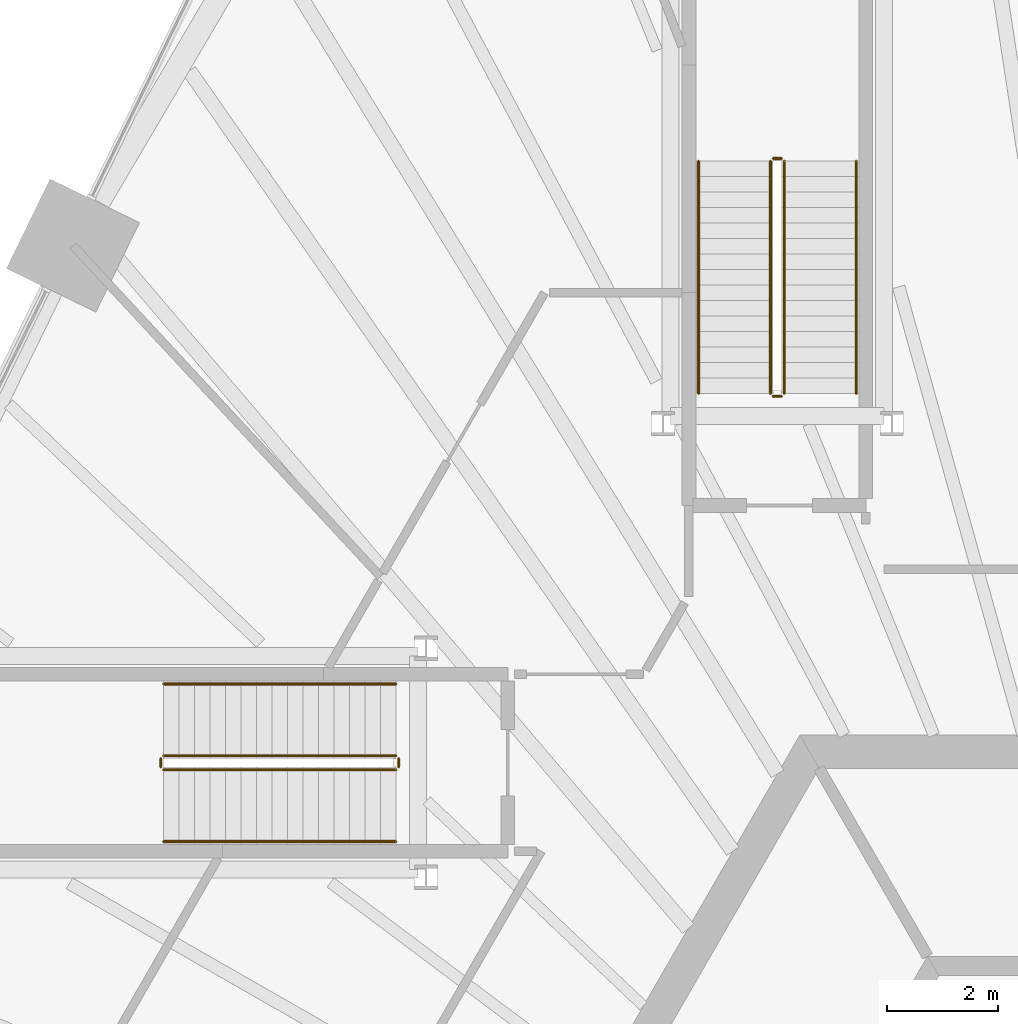
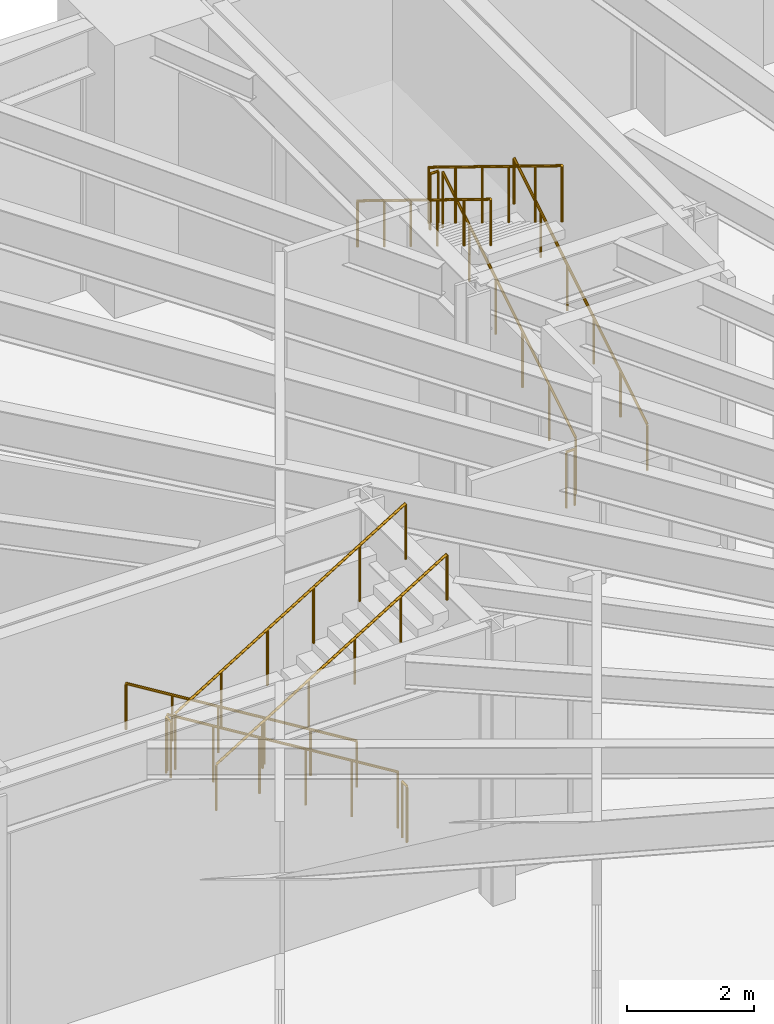
# One storey, part 29 of 30: 12 railings.
"""IFC4 building model written with IfcOpenShell, lengths in metres."""

import ifcopenshell
import ifcopenshell.guid

model = None  # the IFC model being written
_history = None  # IfcOwnerHistory: only IFC2X3 demands one
_inside = {}  # id of a spatial element -> (the spatial element, [elements in it])
_under = {}  # id of a project, library or spatial element -> (it, [spatial elements below it])
_declared = {}  # id of a project -> (the project, [libraries it declares])
_typed = {}  # id of a type object -> (the type object, [elements of that type])
_made_of = {}  # id of a material, layer set ... -> (it, [elements and type objects made of it])


def new_model(schema):
    """Start an empty IFC model of exactly this schema.

    Asked for "IFC4X3", IfcOpenShell would pick the latest addendum, in which some entities
    have other attributes; the version numbers below select the first issue.
    IFC2X3 requires an IfcOwnerHistory on every rooted entity: one is made here for all.
    """
    global model, _history
    if schema == "IFC4X3":
        model = ifcopenshell.file(schema_version=(4, 3, 0, 0))
    else:
        model = ifcopenshell.file(schema=schema)
    _inside.clear()
    _under.clear()
    _declared.clear()
    _typed.clear()
    _made_of.clear()
    _history = None
    if model.schema == "IFC2X3":
        org = make("IfcOrganization", Name="unknown")
        user = make(
            "IfcPersonAndOrganization",
            ThePerson=make("IfcPerson", FamilyName="unknown"),
            TheOrganization=org,
        )
        app = make(
            "IfcApplication",
            ApplicationDeveloper=org,
            Version="unknown",
            ApplicationFullName="unknown",
            ApplicationIdentifier="unknown",
        )
        _history = make(
            "IfcOwnerHistory",
            OwningUser=user,
            OwningApplication=app,
            ChangeAction="ADDED",
            CreationDate=0,
        )
    return model


def make(cls, **values):
    """One entity of the class cls with the attributes given. An attribute that is None is left unset."""
    return model.create_entity(
        cls, **{name: value for name, value in values.items() if value is not None}
    )


def rooted(cls, **values):
    """An entity with a GlobalId (a new one), such as an element, a storey or a relation."""
    return make(cls, GlobalId=ifcopenshell.guid.new(), OwnerHistory=_history, **values)


def si_unit(unit_type, name, prefix=None):
    """IfcSIUnit, for example si_unit("LENGTHUNIT", "METRE", prefix="MILLI")."""
    return make("IfcSIUnit", UnitType=unit_type, Prefix=prefix, Name=name)


def assignment(units):
    """IfcUnitAssignment: the units of a project."""
    return None if units is None else make("IfcUnitAssignment", Units=units)


def point(xyz):
    """IfcCartesianPoint."""
    return None if xyz is None else make("IfcCartesianPoint", Coordinates=xyz)


def direction(xyz):
    """IfcDirection."""
    return None if xyz is None else make("IfcDirection", DirectionRatios=xyz)


def frame(location, z_axis=None, x_axis=None):
    """IfcAxis2Placement3D, a coordinate frame: its origin and axes. An axis left out is left unset."""
    return make(
        "IfcAxis2Placement3D",
        Location=point(location),
        Axis=direction(z_axis),
        RefDirection=direction(x_axis),
    )


def frame_2d(location, x_axis=None):
    """IfcAxis2Placement2D, a coordinate frame in the plane: its origin and x axis."""
    return make(
        "IfcAxis2Placement2D", Location=point(location), RefDirection=direction(x_axis)
    )


def origin():
    """The frame at (0, 0, 0) with its axes left unset."""
    return frame((0.0, 0.0, 0.0))


def origin_2d():
    """The frame at (0, 0) in the plane with its x axis left unset."""
    return frame_2d((0.0, 0.0))


def place(relative_to, where):
    """IfcLocalPlacement: puts the frame where relative to a parent placement (None: the world)."""
    return make(
        "IfcLocalPlacement", PlacementRelTo=relative_to, RelativePlacement=where
    )


def context(
    kind, dimensions, precision=None, world=None, true_north=None, identifier=None
):
    """IfcGeometricRepresentationContext, for example the 3D "Model" context."""
    return make(
        "IfcGeometricRepresentationContext",
        ContextIdentifier=identifier,
        ContextType=kind,
        CoordinateSpaceDimension=dimensions,
        Precision=precision,
        WorldCoordinateSystem=world,
        TrueNorth=true_north,
    )


def subcontext(parent, identifier, kind, view, scale=None):
    """IfcGeometricRepresentationSubContext, for example "Body" below "Model"."""
    return make(
        "IfcGeometricRepresentationSubContext",
        ContextIdentifier=identifier,
        ContextType=kind,
        ParentContext=parent,
        TargetScale=scale,
        TargetView=view,
    )


def project(units=None, contexts=None):
    """IfcProject with its units and contexts."""
    return rooted(
        "IfcProject",
        Name="project",
        RepresentationContexts=contexts,
        UnitsInContext=assignment(units),
    )


def spatial(cls, under=None, at=None, **own):
    """A site, building, storey or space (cls), placed at a placement, below another one or the project."""
    s = rooted(cls, ObjectPlacement=at, **own)
    if under is not None:
        _under.setdefault(under.id(), (under, []))[1].append(s)
    return s


def profile(cls, at=None, kind="AREA", **sizes):
    """A parametric profile (cls). Its sizes go by their IFC names, for example OverallWidth=200.0."""
    return make(cls, ProfileType=kind, Position=at, **sizes)


def circle(**sizes):
    """IfcCircleProfileDef."""
    return profile("IfcCircleProfileDef", **sizes)


def extrude(swept, where, along, depth):
    """IfcExtrudedAreaSolid: the profile swept, set in the frame where, extruded along a direction by depth."""
    return make(
        "IfcExtrudedAreaSolid",
        SweptArea=swept,
        Position=where,
        ExtrudedDirection=direction(along),
        Depth=depth,
    )


def shape(context_of_items, identifier, shape_type, items):
    """IfcShapeRepresentation: the items that make up one representation, for example the "Body"."""
    return make(
        "IfcShapeRepresentation",
        ContextOfItems=context_of_items,
        RepresentationIdentifier=identifier,
        RepresentationType=shape_type,
        Items=items,
    )


def material(Name=None, Category=None):
    """IfcMaterial."""
    return make("IfcMaterial", Name=Name, Category=Category)


def made_of(thing, what):
    """Note that an element or type object is made of a material, layer set ...; save() writes the relation."""
    if what is not None:
        _made_of.setdefault(what.id(), (what, []))[1].append(thing)
    return thing


def type_object(cls, material=None, **own):
    """A type object (cls), such as IfcWallType, which elements share."""
    return made_of(rooted(cls, **own), material)


def element(
    cls,
    number,
    at=None,
    inside=None,
    cuts=None,
    type_object=None,
    material=None,
    context=None,
    identifier="Body",
    shape_type=None,
    held_by="IfcProductDefinitionShape",
    body=None,
    shapes=None,
    **own,
):
    """One element of the class cls, such as IfcWall. Its Tag is "e" and its number.

    at: its placement. inside: the storey or other place that contains it. cuts: it is an
    opening in that element (IfcRelVoidsElement). A single representation is given by context,
    identifier, shape_type and body (its items); several are given by shapes. held_by: the class
    of the entity that holds the representations. save() writes the other relations.
    """
    e = rooted(cls, Tag="e%d" % number, ObjectPlacement=at, **own)
    if body is not None:
        shapes = [shape(context, identifier, shape_type, body)]
    if shapes is not None:
        e.Representation = make(held_by, Representations=shapes)
    if inside is not None:
        _inside.setdefault(inside.id(), (inside, []))[1].append(e)
    if cuts is not None:
        rooted(
            "IfcRelVoidsElement", RelatingBuildingElement=cuts, RelatedOpeningElement=e
        )
    if type_object is not None:
        _typed.setdefault(type_object.id(), (type_object, []))[1].append(e)
    return made_of(e, material)


def aggregate(whole, parts):
    """IfcRelAggregates: a whole, such as a stair, and the parts it consists of."""
    return rooted("IfcRelAggregates", RelatingObject=whole, RelatedObjects=parts)


def save(model, path):
    """Write the relations noted so far, then the file.

    IfcRelAggregates (storeys below a building ...), IfcRelContainedInSpatialStructure (elements
    in a storey), IfcRelDefinesByType, IfcRelAssociatesMaterial and IfcRelDeclares: one each for
    every whole, place, type object, material and project.
    """
    for whole, parts in _under.values():
        aggregate(whole, parts)
    for where, things in _inside.values():
        rooted(
            "IfcRelContainedInSpatialStructure",
            RelatedElements=things,
            RelatingStructure=where,
        )
    for kind, things in _typed.values():
        rooted("IfcRelDefinesByType", RelatedObjects=things, RelatingType=kind)
    for what, things in _made_of.values():
        rooted("IfcRelAssociatesMaterial", RelatedObjects=things, RelatingMaterial=what)
    for by, libraries in _declared.values():
        rooted("IfcRelDeclares", RelatingContext=by, RelatedDefinitions=libraries)
    model.write(path)


model = new_model("IFC4")

# Units and contexts
model_context = context("Model", 3, precision=1e-05, world=origin(), true_north=direction((0.0, 1.0)))
body_context = subcontext(model_context, "Body", "Model", "MODEL_VIEW")
ifc_project = project(units=[si_unit("LENGTHUNIT", "METRE"), si_unit("AREAUNIT", "SQUARE_METRE"), si_unit("VOLUMEUNIT", "CUBIC_METRE"), si_unit("PLANEANGLEUNIT", "RADIAN"), si_unit("MASSUNIT", "GRAM", prefix="KILO")], contexts=[model_context])

# Site, building, storey
site_placement = place(None, origin())
site = spatial("IfcSite", under=ifc_project, at=site_placement, CompositionType="ELEMENT")
building_placement = place(site_placement, origin())
building = spatial("IfcBuilding", under=site, at=building_placement, Name="Tarnside Tower", CompositionType="ELEMENT")
storey_placement = place(building_placement, frame((0.0, 0.0, 20.5)))
storey = spatial("IfcBuildingStorey", under=building, at=storey_placement, Name="L03", CompositionType="ELEMENT", Elevation=20.5)

# Railings
ifc_material = material(Name="Stainless steel", Category="steel")
railing_type_1 = type_object("IfcRailingType", Name="Podium stair guard 1100", PredefinedType="GUARDRAIL", material=ifc_material)
railing_1_placement = place(storey_placement, frame((-8.36474609375, 20.179931640625, 0.171875)))
element("IfcRailing", 1, at=railing_1_placement, inside=storey, type_object=railing_type_1, Name="L03 PS1 stair guard 1", PredefinedType="GUARDRAIL", context=body_context, shape_type="SweptSolid", body=[
    extrude(circle(Radius=0.02392578125, at=origin_2d()), frame((0.0, 0.0, 1.076171875), z_axis=(0.0, 0.852242915053, 0.523146264196), x_axis=(-1.0, 0.0, 0.0)), (0.0, 0.0, 1.0), 4.92822265625),
    extrude(circle(Radius=0.02099609375, at=origin_2d()), origin(), (0.0, 0.0, 1.0), 1.052001953125),
    extrude(circle(Radius=0.02099609375, at=origin_2d()), frame((0.0, 0.840087890625, 0.515625)), (0.0, 0.0, 1.0), 1.052001953125),
    extrude(circle(Radius=0.02099609375, at=origin_2d()), frame((0.0, 1.679931640625, 1.03125)), (0.0, 0.0, 1.0), 1.052001953125),
    extrude(circle(Radius=0.02099609375, at=origin_2d()), frame((0.0, 2.52001953125, 1.546875)), (0.0, 0.0, 1.0), 1.052001953125),
    extrude(circle(Radius=0.02099609375, at=origin_2d()), frame((0.0, 3.35986328125, 2.0625)), (0.0, 0.0, 1.0), 1.052001953125),
    extrude(circle(Radius=0.02099609375, at=origin_2d()), frame((0.0, 4.199951171875, 2.578125)), (0.0, 0.0, 1.0), 1.052001953125),
])
railing_2_placement = place(storey_placement, frame((-8.414794921875, 24.429931640625, 2.75)))
element("IfcRailing", 2, at=railing_2_placement, inside=storey, type_object=railing_type_1, Name="L03 PS1 stair guard 2", PredefinedType="GUARDRAIL", context=body_context, shape_type="SweptSolid", body=[
    extrude(circle(Radius=0.02392578125, at=origin_2d()), frame((0.0, 0.0, 1.076171875), z_axis=(-1.0, 0.0, 0.0), x_axis=(0.0, -1.0, 0.0)), (0.0, 0.0, 1.0), 0.14990234375),
    extrude(circle(Radius=0.02099609375, at=origin_2d()), origin(), (0.0, 0.0, 1.0), 1.052001953125),
    extrude(circle(Radius=0.02099609375, at=origin_2d()), frame((-0.14990234375, 0.0, 0.0)), (0.0, 0.0, 1.0), 1.052001953125),
])
railing_3_placement = place(storey_placement, frame((-8.61474609375, 24.3798828125, 2.921875)))
element("IfcRailing", 3, at=railing_3_placement, inside=storey, type_object=railing_type_1, Name="L03 PS1 stair guard 3", PredefinedType="GUARDRAIL", context=body_context, shape_type="SweptSolid", body=[
    extrude(circle(Radius=0.02392578125, at=origin_2d()), frame((0.0, 0.0, 1.076171875), z_axis=(0.0, -0.852242915053, 0.523146264196), x_axis=(1.0, 0.0, 0.0)), (0.0, 0.0, 1.0), 4.92822265625),
    extrude(circle(Radius=0.02099609375, at=origin_2d()), origin(), (0.0, 0.0, 1.0), 1.052001953125),
    extrude(circle(Radius=0.02099609375, at=origin_2d()), frame((0.0, -0.840087890625, 0.515625)), (0.0, 0.0, 1.0), 1.052001953125),
    extrude(circle(Radius=0.02099609375, at=origin_2d()), frame((0.0, -1.679931640625, 1.03125)), (0.0, 0.0, 1.0), 1.052001953125),
    extrude(circle(Radius=0.02099609375, at=origin_2d()), frame((0.0, -2.52001953125, 1.546875)), (0.0, 0.0, 1.0), 1.052001953125),
    extrude(circle(Radius=0.02099609375, at=origin_2d()), frame((0.0, -3.35986328125, 2.0625)), (0.0, 0.0, 1.0), 1.052001953125),
    extrude(circle(Radius=0.02099609375, at=origin_2d()), frame((0.0, -4.199951171875, 2.578125)), (0.0, 0.0, 1.0), 1.052001953125),
])
railing_4_placement = place(storey_placement, frame((-8.414794921875, 20.1298828125, 0.0)))
element("IfcRailing", 4, at=railing_4_placement, inside=storey, type_object=railing_type_1, Name="L03 PS1 stair guard 4", PredefinedType="GUARDRAIL", context=body_context, shape_type="SweptSolid", body=[
    extrude(circle(Radius=0.02392578125, at=origin_2d()), frame((0.0, 0.0, 1.076171875), z_axis=(-1.0, 0.0, 0.0), x_axis=(0.0, -1.0, 0.0)), (0.0, 0.0, 1.0), 0.14990234375),
    extrude(circle(Radius=0.02099609375, at=origin_2d()), origin(), (0.0, 0.0, 1.0), 1.052001953125),
    extrude(circle(Radius=0.02099609375, at=origin_2d()), frame((-0.14990234375, 0.0, 0.0)), (0.0, 0.0, 1.0), 1.052001953125),
])
railing_5_placement = place(storey_placement, frame((-15.389892578125, 13.625, 0.171875)))
element("IfcRailing", 5, at=railing_5_placement, inside=storey, type_object=railing_type_1, Name="L03 PS6 stair guard 1", PredefinedType="GUARDRAIL", context=body_context, shape_type="SweptSolid", body=[
    extrude(circle(Radius=0.02392578125, at=origin_2d()), frame((0.0, 0.0, 1.076171875), z_axis=(-0.852256472501, 0.0, 0.523124177495), x_axis=(0.0, -1.0, 0.0)), (0.0, 0.0, 1.0), 4.92822265625),
    extrude(circle(Radius=0.02099609375, at=origin_2d()), origin(), (0.0, 0.0, 1.0), 1.052001953125),
    extrude(circle(Radius=0.02099609375, at=origin_2d()), frame((-0.840087890625, 0.0, 0.515625)), (0.0, 0.0, 1.0), 1.052001953125),
    extrude(circle(Radius=0.02099609375, at=origin_2d()), frame((-1.68017578125, 0.0, 1.03125)), (0.0, 0.0, 1.0), 1.052001953125),
    extrude(circle(Radius=0.02099609375, at=origin_2d()), frame((-2.52001953125, 0.0, 1.546875)), (0.0, 0.0, 1.0), 1.052001953125),
    extrude(circle(Radius=0.02099609375, at=origin_2d()), frame((-3.360107421875, 0.0, 2.0625)), (0.0, 0.0, 1.0), 1.052001953125),
    extrude(circle(Radius=0.02099609375, at=origin_2d()), frame((-4.2001953125, 0.0, 2.578125)), (0.0, 0.0, 1.0), 1.052001953125),
])
railing_6_placement = place(storey_placement, frame((-19.639892578125, 13.574951171875, 2.75)))
element("IfcRailing", 6, at=railing_6_placement, inside=storey, type_object=railing_type_1, Name="L03 PS6 stair guard 2", PredefinedType="GUARDRAIL", context=body_context, shape_type="SweptSolid", body=[
    extrude(circle(Radius=0.02392578125, at=origin_2d()), frame((0.0, 0.0, 1.076171875), z_axis=(0.0, -1.0, 0.0), x_axis=(1.0, 0.0, 0.0)), (0.0, 0.0, 1.0), 0.14990234375),
    extrude(circle(Radius=0.02099609375, at=origin_2d()), origin(), (0.0, 0.0, 1.0), 1.052001953125),
    extrude(circle(Radius=0.02099609375, at=origin_2d()), frame((0.0, -0.14990234375, 0.0)), (0.0, 0.0, 1.0), 1.052001953125),
])
railing_7_placement = place(storey_placement, frame((-19.590087890625, 13.375, 2.921875)))
element("IfcRailing", 7, at=railing_7_placement, inside=storey, type_object=railing_type_1, Name="L03 PS6 stair guard 3", PredefinedType="GUARDRAIL", context=body_context, shape_type="SweptSolid", body=[
    extrude(circle(Radius=0.02392578125, at=origin_2d()), frame((0.0, 0.0, 1.076171875), z_axis=(0.852256472501, 0.0, 0.523124177495), x_axis=(0.0, 1.0, 0.0)), (0.0, 0.0, 1.0), 4.92822265625),
    extrude(circle(Radius=0.02099609375, at=origin_2d()), origin(), (0.0, 0.0, 1.0), 1.052001953125),
    extrude(circle(Radius=0.02099609375, at=origin_2d()), frame((0.840087890625, 0.0, 0.515625)), (0.0, 0.0, 1.0), 1.052001953125),
    extrude(circle(Radius=0.02099609375, at=origin_2d()), frame((1.68017578125, 0.0, 1.03125)), (0.0, 0.0, 1.0), 1.052001953125),
    extrude(circle(Radius=0.02099609375, at=origin_2d()), frame((2.52001953125, 0.0, 1.546875)), (0.0, 0.0, 1.0), 1.052001953125),
    extrude(circle(Radius=0.02099609375, at=origin_2d()), frame((3.360107421875, 0.0, 2.0625)), (0.0, 0.0, 1.0), 1.052001953125),
    extrude(circle(Radius=0.02099609375, at=origin_2d()), frame((4.2001953125, 0.0, 2.578125)), (0.0, 0.0, 1.0), 1.052001953125),
])
railing_8_placement = place(storey_placement, frame((-15.340087890625, 13.574951171875, 0.0)))
element("IfcRailing", 8, at=railing_8_placement, inside=storey, type_object=railing_type_1, Name="L03 PS6 stair guard 4", PredefinedType="GUARDRAIL", context=body_context, shape_type="SweptSolid", body=[
    extrude(circle(Radius=0.02392578125, at=origin_2d()), frame((0.0, 0.0, 1.076171875), z_axis=(0.0, -1.0, 0.0), x_axis=(1.0, 0.0, 0.0)), (0.0, 0.0, 1.0), 0.14990234375),
    extrude(circle(Radius=0.02099609375, at=origin_2d()), origin(), (0.0, 0.0, 1.0), 1.052001953125),
    extrude(circle(Radius=0.02099609375, at=origin_2d()), frame((0.0, -0.14990234375, 0.0)), (0.0, 0.0, 1.0), 1.052001953125),
])
railing_type_2 = type_object("IfcRailingType", Name="Podium stair handrail 900", PredefinedType="HANDRAIL", material=ifc_material)
railing_9_placement = place(storey_placement, frame((-7.064697265625, 20.179931640625, 0.171875)))
element("IfcRailing", 9, at=railing_9_placement, inside=storey, type_object=railing_type_2, Name="L03 PS1 stair handrail 1", PredefinedType="HANDRAIL", context=body_context, shape_type="SweptSolid", body=[
    extrude(circle(Radius=0.02392578125, at=origin_2d()), frame((0.0, 0.0, 0.8857421875), z_axis=(0.0, 0.852242915053, 0.523146264196), x_axis=(-1.0, 0.0, 0.0)), (0.0, 0.0, 1.0), 4.92822265625),
    extrude(circle(Radius=0.02099609375, at=origin_2d()), origin(), (0.0, 0.0, 1.0), 0.86181640625),
    extrude(circle(Radius=0.02099609375, at=origin_2d()), frame((0.0, 0.840087890625, 0.515625)), (0.0, 0.0, 1.0), 0.86181640625),
    extrude(circle(Radius=0.02099609375, at=origin_2d()), frame((0.0, 1.679931640625, 1.03125)), (0.0, 0.0, 1.0), 0.86181640625),
    extrude(circle(Radius=0.02099609375, at=origin_2d()), frame((0.0, 2.52001953125, 1.546875)), (0.0, 0.0, 1.0), 0.86181640625),
    extrude(circle(Radius=0.02099609375, at=origin_2d()), frame((0.0, 3.35986328125, 2.0625)), (0.0, 0.0, 1.0), 0.86181640625),
    extrude(circle(Radius=0.02099609375, at=origin_2d()), frame((0.0, 4.199951171875, 2.578125)), (0.0, 0.0, 1.0), 0.86181640625),
])
railing_10_placement = place(storey_placement, frame((-9.914794921875, 24.3798828125, 2.921875)))
element("IfcRailing", 10, at=railing_10_placement, inside=storey, type_object=railing_type_2, Name="L03 PS1 stair handrail 2", PredefinedType="HANDRAIL", context=body_context, shape_type="SweptSolid", body=[
    extrude(circle(Radius=0.02392578125, at=origin_2d()), frame((0.0, 0.0, 0.8857421875), z_axis=(0.0, -0.852242915053, 0.523146264196), x_axis=(1.0, 0.0, 0.0)), (0.0, 0.0, 1.0), 4.92822265625),
    extrude(circle(Radius=0.02099609375, at=origin_2d()), origin(), (0.0, 0.0, 1.0), 0.86181640625),
    extrude(circle(Radius=0.02099609375, at=origin_2d()), frame((0.0, -0.840087890625, 0.515625)), (0.0, 0.0, 1.0), 0.86181640625),
    extrude(circle(Radius=0.02099609375, at=origin_2d()), frame((0.0, -1.679931640625, 1.03125)), (0.0, 0.0, 1.0), 0.86181640625),
    extrude(circle(Radius=0.02099609375, at=origin_2d()), frame((0.0, -2.52001953125, 1.546875)), (0.0, 0.0, 1.0), 0.86181640625),
    extrude(circle(Radius=0.02099609375, at=origin_2d()), frame((0.0, -3.35986328125, 2.0625)), (0.0, 0.0, 1.0), 0.86181640625),
    extrude(circle(Radius=0.02099609375, at=origin_2d()), frame((0.0, -4.199951171875, 2.578125)), (0.0, 0.0, 1.0), 0.86181640625),
])
railing_11_placement = place(storey_placement, frame((-15.389892578125, 14.925048828125, 0.171875)))
element("IfcRailing", 11, at=railing_11_placement, inside=storey, type_object=railing_type_2, Name="L03 PS6 stair handrail 1", PredefinedType="HANDRAIL", context=body_context, shape_type="SweptSolid", body=[
    extrude(circle(Radius=0.02392578125, at=origin_2d()), frame((0.0, 0.0, 0.8857421875), z_axis=(-0.852256472501, 0.0, 0.523124177495), x_axis=(0.0, -1.0, 0.0)), (0.0, 0.0, 1.0), 4.92822265625),
    extrude(circle(Radius=0.02099609375, at=origin_2d()), origin(), (0.0, 0.0, 1.0), 0.86181640625),
    extrude(circle(Radius=0.02099609375, at=origin_2d()), frame((-0.840087890625, 0.0, 0.515625)), (0.0, 0.0, 1.0), 0.86181640625),
    extrude(circle(Radius=0.02099609375, at=origin_2d()), frame((-1.68017578125, 0.0, 1.03125)), (0.0, 0.0, 1.0), 0.86181640625),
    extrude(circle(Radius=0.02099609375, at=origin_2d()), frame((-2.52001953125, 0.0, 1.546875)), (0.0, 0.0, 1.0), 0.86181640625),
    extrude(circle(Radius=0.02099609375, at=origin_2d()), frame((-3.360107421875, 0.0, 2.0625)), (0.0, 0.0, 1.0), 0.86181640625),
    extrude(circle(Radius=0.02099609375, at=origin_2d()), frame((-4.2001953125, 0.0, 2.578125)), (0.0, 0.0, 1.0), 0.86181640625),
])
railing_12_placement = place(storey_placement, frame((-19.590087890625, 12.074951171875, 2.921875)))
element("IfcRailing", 12, at=railing_12_placement, inside=storey, type_object=railing_type_2, Name="L03 PS6 stair handrail 2", PredefinedType="HANDRAIL", context=body_context, shape_type="SweptSolid", body=[
    extrude(circle(Radius=0.02392578125, at=origin_2d()), frame((0.0, 0.0, 0.8857421875), z_axis=(0.852256472501, 0.0, 0.523124177495), x_axis=(0.0, 1.0, 0.0)), (0.0, 0.0, 1.0), 4.92822265625),
    extrude(circle(Radius=0.02099609375, at=origin_2d()), origin(), (0.0, 0.0, 1.0), 0.86181640625),
    extrude(circle(Radius=0.02099609375, at=origin_2d()), frame((0.840087890625, 0.0, 0.515625)), (0.0, 0.0, 1.0), 0.86181640625),
    extrude(circle(Radius=0.02099609375, at=origin_2d()), frame((1.68017578125, 0.0, 1.03125)), (0.0, 0.0, 1.0), 0.86181640625),
    extrude(circle(Radius=0.02099609375, at=origin_2d()), frame((2.52001953125, 0.0, 1.546875)), (0.0, 0.0, 1.0), 0.86181640625),
    extrude(circle(Radius=0.02099609375, at=origin_2d()), frame((3.360107421875, 0.0, 2.0625)), (0.0, 0.0, 1.0), 0.86181640625),
    extrude(circle(Radius=0.02099609375, at=origin_2d()), frame((4.2001953125, 0.0, 2.578125)), (0.0, 0.0, 1.0), 0.86181640625),
])

save(model, "model.ifc")
